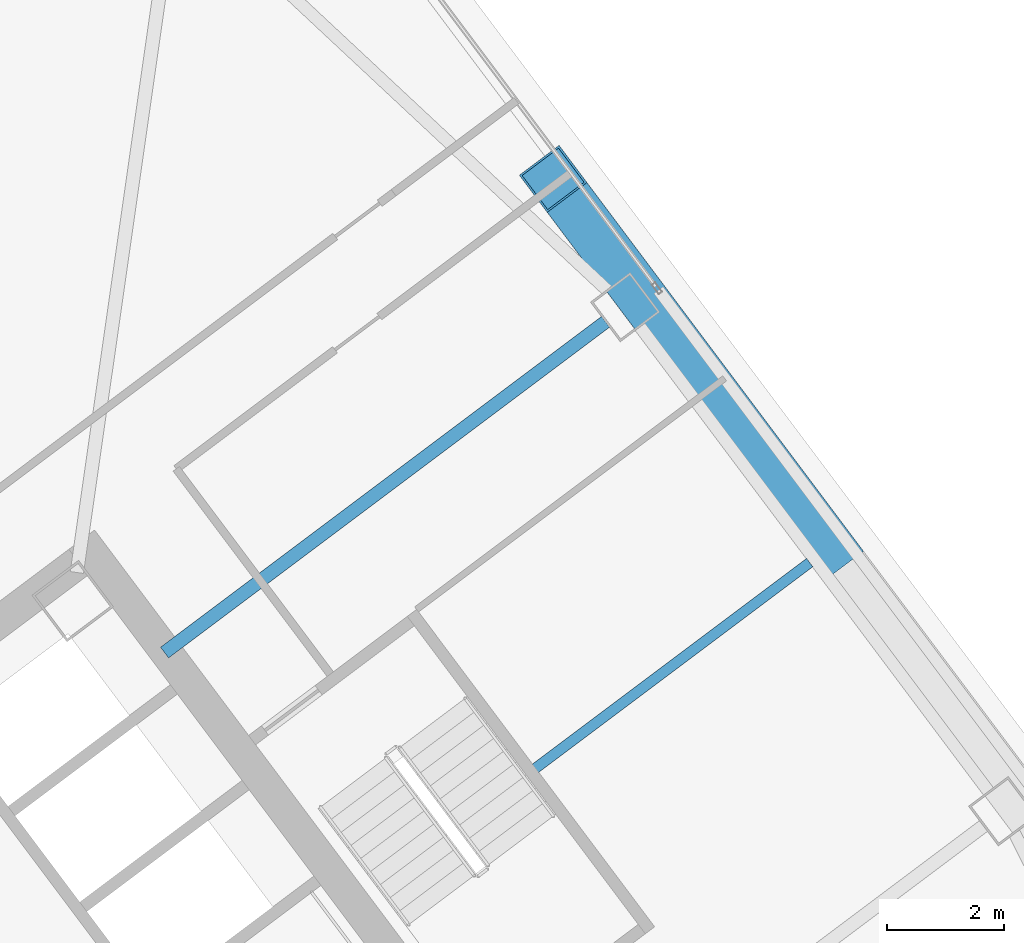
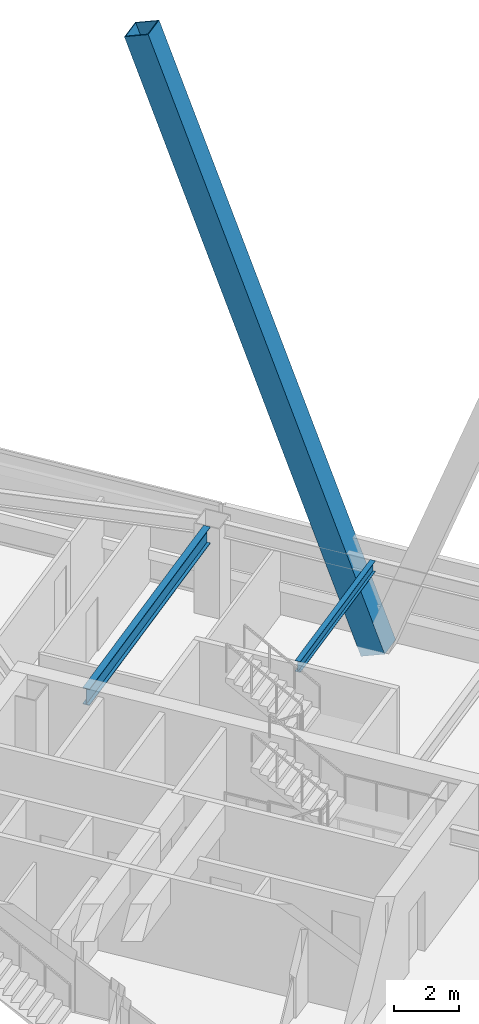
# One storey, part 36 of 50: 2 beams, 1 member.
"""IFC4 building model written with IfcOpenShell, lengths in metres."""

from ifc_helpers import new_model, si_unit, direction, frame, origin, origin_2d, place, context, subcontext, project, spatial, hollow_rectangle, i_section, extrude, material, material_profile, profile_set, type_object, element, save


model = new_model("IFC4")

# Units and contexts
model_context = context("Model", 3, precision=1e-05, world=origin(), true_north=direction((0.0, 1.0)))
body_context = subcontext(model_context, "Body", "Model", "MODEL_VIEW")
ifc_project = project(units=[si_unit("LENGTHUNIT", "METRE"), si_unit("AREAUNIT", "SQUARE_METRE"), si_unit("VOLUMEUNIT", "CUBIC_METRE"), si_unit("PLANEANGLEUNIT", "RADIAN"), si_unit("MASSUNIT", "GRAM", prefix="KILO")], contexts=[model_context])

# Site, building, storey
site_placement = place(None, origin())
site = spatial("IfcSite", under=ifc_project, at=site_placement, CompositionType="ELEMENT")
building_placement = place(site_placement, origin())
building = spatial("IfcBuilding", under=site, at=building_placement, Name="Tashvorn Skyway Center", CompositionType="ELEMENT")
storey_placement = place(building_placement, frame((0.0, 0.0, 114.39990234375)))
storey = spatial("IfcBuildingStorey", under=building, at=storey_placement, Name="L30", CompositionType="ELEMENT", Elevation=114.39990234375)

# Beams
ifc_material_1 = material(Name="Steel ASTM A992 Grade 50", Category="steel")
ifc_material_profile_1 = material_profile(ifc_material_1, i_section(OverallWidth=0.22998046875, OverallDepth=0.616943359375, WebThickness=0.01318359375, FlangeThickness=0.022216796875, at=origin_2d()), Name="W24X94")
ifc_profile_set_1 = profile_set([ifc_material_profile_1], Name="Steel ASTM A992 Grade 50")
beam_type_1 = type_object("IfcBeamType", Name="BM-BEAM-W24X94", PredefinedType="BEAM", material=ifc_profile_set_1)
beam_1_placement = place(storey_placement, frame((124.5439453125, 46.657958984375, 3.0615234375), z_axis=(-0.800006200354, -0.599991732772, 0.0), x_axis=(0.599991732772, -0.800006200354, 0.0)))
element("IfcBeam", 1, at=beam_1_placement, inside=storey, type_object=beam_type_1, Name="Tower 2 L30 Primary Floor Girder FC-E2", PredefinedType="BEAM", context=body_context, shape_type="SweptSolid", body=[
    extrude(i_section(OverallWidth=0.22998046875, OverallDepth=0.616943359375, WebThickness=0.01318359375, FlangeThickness=0.022216796875, at=origin_2d()), origin(), (0.0, 0.0, 1.0), 9.449951171875),
])
ifc_material_profile_2 = material_profile(ifc_material_1, i_section(OverallWidth=0.177978515625, OverallDepth=0.406005859375, WebThickness=0.0078125, FlangeThickness=0.0126953125, at=origin_2d()), Name="W16X40")
ifc_profile_set_2 = profile_set([ifc_material_profile_2], Name="Steel ASTM A992 Grade 50")
beam_type_2 = type_object("IfcBeamType", Name="BM-JOIST-W16X40", PredefinedType="JOIST", material=ifc_profile_set_2)
beam_2_placement = place(storey_placement, frame((123.3359375, 39.001953125, 3.1669921875), z_axis=(0.8, 0.6, 0.0), x_axis=(-0.6, 0.8, 0.0)))
element("IfcBeam", 2, at=beam_2_placement, inside=storey, type_object=beam_type_2, Name="Tower 2 L30 Secondary Composite Joist JE", PredefinedType="JOIST", context=body_context, shape_type="SweptSolid", body=[
    extrude(i_section(OverallWidth=0.177978515625, OverallDepth=0.406005859375, WebThickness=0.0078125, FlangeThickness=0.0126953125, at=origin_2d()), origin(), (0.0, 0.0, 1.0), 5.882568359375),
])

# Member
ifc_material_2 = material(Name="Steel ASTM A572 Grade 50", Category="steel")
ifc_material_profile_3 = material_profile(ifc_material_2, hollow_rectangle(XDim=0.85009765625, YDim=0.85009765625, WallThickness=0.034912109375, at=origin_2d()), Name="BOX850x850x35")
ifc_profile_set_3 = profile_set([ifc_material_profile_3], Name="Steel ASTM A572 Grade 50")
member_type = type_object("IfcMemberType", Name="MEM-MB-850", PredefinedType="BRACE", material=ifc_profile_set_3)
member_placement = place(storey_placement, frame((128.384033203125, 42.7880859375, -0.199951171875), z_axis=(-0.210819902699, 0.281085964525, 0.936240166396), x_axis=(-0.799992582871, -0.600009889378, 0.0)))
element("IfcMember", 3, at=member_placement, inside=storey, type_object=member_type, Name="Tower 2 Zone 3 E Chevron Mega-Brace R1", PredefinedType="BRACE", context=body_context, shape_type="SweptSolid", body=[
    extrude(hollow_rectangle(XDim=0.85009765625, YDim=0.85009765625, WallThickness=0.034912109375, at=origin_2d()), origin(), (0.0, 0.0, 1.0), 22.483642578125),
])

save(model, "model.ifc")
